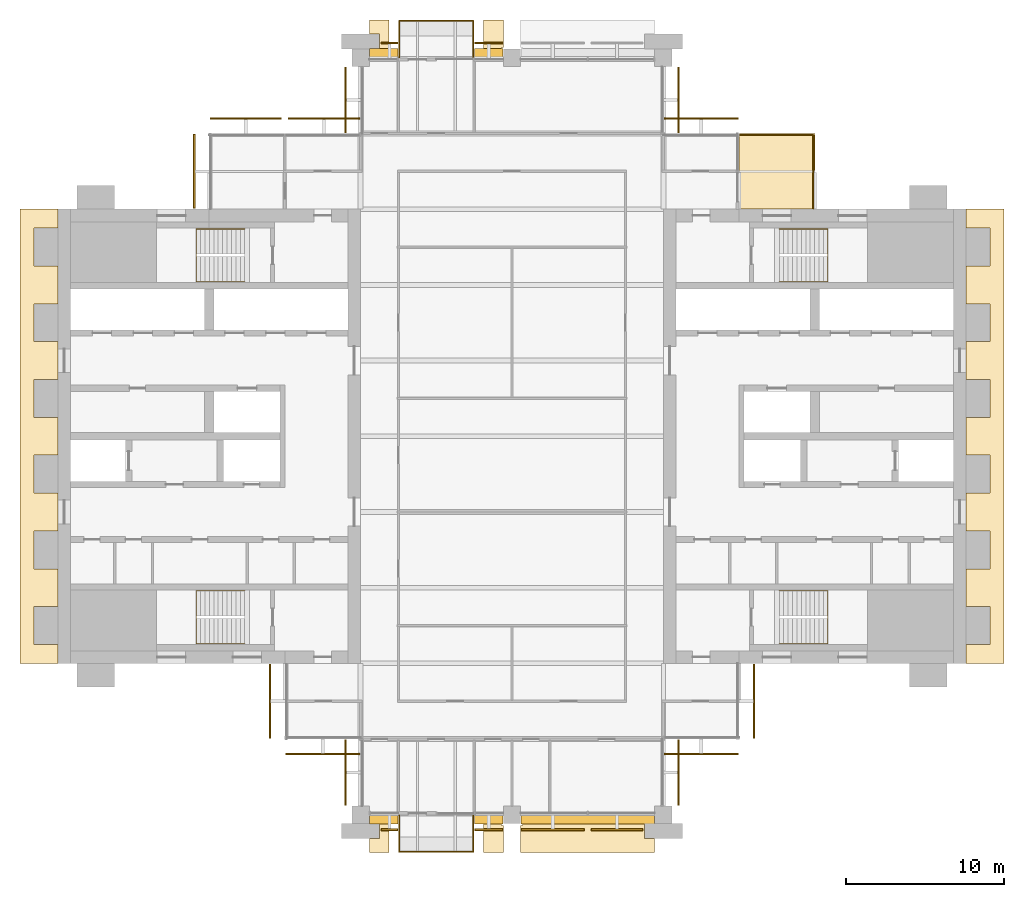
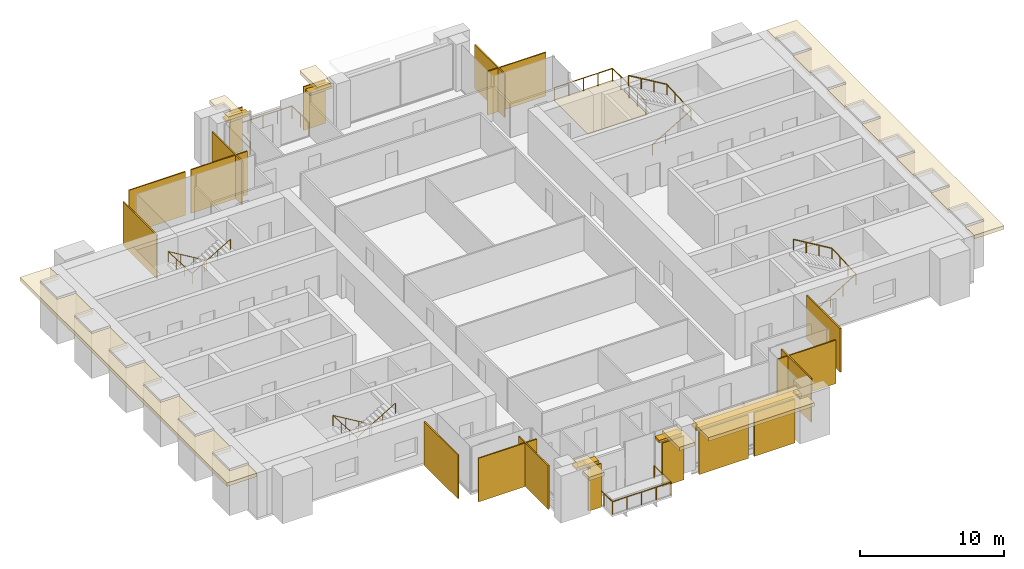
# One storey, part 13 of 14: 26 coverings, 7 railings, 5 shading devices.
"""IFC4 building model written with IfcOpenShell, lengths in metres."""

from ifc_helpers import new_model, si_unit, direction, frame, origin, origin_2d, place, context, subcontext, project, spatial, polyline, rectangle, circle, outline, extrude, material, layer, layer_set, type_object, element, save


model = new_model("IFC4")

# Units and contexts
model_context = context("Model", 3, precision=1e-05, world=origin(), true_north=direction((0.0, 1.0)))
body_context = subcontext(model_context, "Body", "Model", "MODEL_VIEW")
ifc_project = project(units=[si_unit("LENGTHUNIT", "METRE"), si_unit("AREAUNIT", "SQUARE_METRE"), si_unit("VOLUMEUNIT", "CUBIC_METRE"), si_unit("PLANEANGLEUNIT", "RADIAN"), si_unit("MASSUNIT", "GRAM", prefix="KILO")], contexts=[model_context])

# Site, building, storey
site_placement = place(None, origin())
site = spatial("IfcSite", under=ifc_project, at=site_placement, CompositionType="ELEMENT")
building_placement = place(site_placement, origin())
building = spatial("IfcBuilding", under=site, at=building_placement, Name="Baori Bourse Tower", CompositionType="ELEMENT")
storey_placement = place(building_placement, frame((0.0, 0.0, 257.199951171875)))
storey = spatial("IfcBuildingStorey", under=building, at=storey_placement, Name="L57", CompositionType="ELEMENT", Elevation=257.199951171875)

# Coverings
ifc_material_1 = material(Name="Pale anodised aluminium", Category="aluminium")
covering_type_1 = type_object("IfcCoveringType", Name="BD1 Pale metal band", PredefinedType="CLADDING", material=ifc_material_1)
covering_1_placement = place(storey_placement, frame((0.0, 0.0, 3.5400390625)))
element("IfcCovering", 1, at=covering_1_placement, inside=storey, type_object=covering_type_1, Name="Pale projecting band L57 1", PredefinedType="CLADDING", context=body_context, shape_type="SweptSolid", body=[
    extrude(outline(polyline([(57.60009765625, 10.800048828125), (57.60009765625, 9.60009765625), (60.0, 9.60009765625), (60.0, 38.39990234375), (57.60009765625, 38.39990234375), (57.60009765625, 37.199951171875), (59.10009765625, 37.199951171875), (59.10009765625, 34.800048828125), (57.60009765625, 34.800048828125), (57.60009765625, 32.39990234375), (59.10009765625, 32.39990234375), (59.10009765625, 30.0), (57.60009765625, 30.0), (57.60009765625, 27.60009765625), (59.10009765625, 27.60009765625), (59.10009765625, 25.199951171875), (57.60009765625, 25.199951171875), (57.60009765625, 22.800048828125), (59.10009765625, 22.800048828125), (59.10009765625, 20.39990234375), (57.60009765625, 20.39990234375), (57.60009765625, 18.0), (59.10009765625, 18.0), (59.10009765625, 15.60009765625), (57.60009765625, 15.60009765625), (57.60009765625, 13.199951171875), (59.10009765625, 13.199951171875), (59.10009765625, 10.800048828125), (57.60009765625, 10.800048828125)])), origin(), (0.0, 0.0, 1.0), 0.300048828125),
])
covering_2_placement = place(storey_placement, frame((0.0, 0.0, 3.5400390625)))
element("IfcCovering", 2, at=covering_2_placement, inside=storey, type_object=covering_type_1, Name="Pale projecting band L57 3", PredefinedType="CLADDING", context=body_context, shape_type="SweptSolid", body=[
    extrude(outline(polyline([(27.0, 48.0), (28.1298828125, 48.0), (28.1298828125, 48.669921875), (28.25, 48.669921875), (28.25, 50.39990234375), (27.0, 50.39990234375), (27.0, 48.0)])), origin(), (0.0, 0.0, 1.0), 0.300048828125),
])
covering_3_placement = place(storey_placement, frame((0.0, 0.0, 3.5400390625)))
element("IfcCovering", 3, at=covering_3_placement, inside=storey, type_object=covering_type_1, Name="Pale projecting band L57 4", PredefinedType="CLADDING", context=body_context, shape_type="SweptSolid", body=[
    extrude(outline(polyline([(19.8701171875, 48.0), (21.0, 48.0), (21.0, 50.39990234375), (19.75, 50.39990234375), (19.75, 49.5), (20.39990234375, 49.5), (20.39990234375, 48.550048828125), (19.8701171875, 48.550048828125), (19.8701171875, 48.0)])), origin(), (0.0, 0.0, 1.0), 0.300048828125),
])
covering_4_placement = place(storey_placement, frame((0.0, 0.0, 3.5400390625)))
element("IfcCovering", 4, at=covering_4_placement, inside=storey, type_object=covering_type_1, Name="Pale projecting band L57 5", PredefinedType="CLADDING", context=body_context, shape_type="SweptSolid", body=[
    extrude(outline(polyline([(0.0, 37.199951171875), (0.0, 38.39990234375), (-2.39990234375, 38.39990234375), (-2.39990234375, 9.60009765625), (0.0, 9.60009765625), (0.0, 10.800048828125), (-1.5, 10.800048828125), (-1.5, 13.199951171875), (0.0, 13.199951171875), (0.0, 15.60009765625), (-1.5, 15.60009765625), (-1.5, 18.0), (0.0, 18.0), (0.0, 20.39990234375), (-1.5, 20.39990234375), (-1.5, 22.800048828125), (0.0, 22.800048828125), (0.0, 25.199951171875), (-1.5, 25.199951171875), (-1.5, 27.60009765625), (0.0, 27.60009765625), (0.0, 30.0), (-1.5, 30.0), (-1.5, 32.39990234375), (0.0, 32.39990234375), (0.0, 34.800048828125), (-1.5, 34.800048828125), (-1.5, 37.199951171875), (0.0, 37.199951171875)])), origin(), (0.0, 0.0, 1.0), 0.300048828125),
])
covering_5_placement = place(storey_placement, frame((0.0, 0.0, 3.5400390625)))
element("IfcCovering", 5, at=covering_5_placement, inside=storey, type_object=covering_type_1, Name="Pale projecting band L57 6", PredefinedType="CLADDING", context=body_context, shape_type="SweptSolid", body=[
    extrude(outline(polyline([(21.0, 0.0), (19.8701171875, 0.0), (19.8701171875, -0.550048828125), (20.39990234375, -0.550048828125), (20.39990234375, -1.5), (19.75, -1.5), (19.75, -2.39990234375), (21.0, -2.39990234375), (21.0, 0.0)])), origin(), (0.0, 0.0, 1.0), 0.300048828125),
])
covering_6_placement = place(storey_placement, frame((0.0, 0.0, 3.5400390625)))
element("IfcCovering", 6, at=covering_6_placement, inside=storey, type_object=covering_type_1, Name="Pale projecting band L57 7", PredefinedType="CLADDING", context=body_context, shape_type="SweptSolid", body=[
    extrude(outline(polyline([(28.1298828125, 0.0), (27.0, 0.0), (27.0, -2.39990234375), (28.25, -2.39990234375), (28.25, -0.669921875), (28.1298828125, -0.669921875), (28.1298828125, 0.0)])), origin(), (0.0, 0.0, 1.0), 0.300048828125),
])
covering_7_placement = place(storey_placement, frame((0.0, 0.0, 3.5400390625)))
element("IfcCovering", 7, at=covering_7_placement, inside=storey, type_object=covering_type_1, Name="Pale projecting band L57 8", PredefinedType="CLADDING", context=body_context, shape_type="SweptSolid", body=[
    extrude(outline(polyline([(37.72998046875, 0.0), (29.469970703125, 0.0), (29.469970703125, -0.669921875), (29.35009765625, -0.669921875), (29.35009765625, -2.39990234375), (37.85009765625, -2.39990234375), (37.85009765625, -1.5), (37.199951171875, -1.5), (37.199951171875, -0.550048828125), (37.72998046875, -0.550048828125), (37.72998046875, 0.0)])), origin(), (0.0, 0.0, 1.0), 0.300048828125),
])

# Shading devices
ifc_material_2 = material(Name="Concrete f'c 40 MPa", Category="concrete")
ifc_layer_1 = layer(ifc_material_2, 0.199951171875)
ifc_layer_set_1 = layer_set([ifc_layer_1], Name="BS1 Brise-soleil ledge")
shading_device_type = type_object("IfcShadingDeviceType", Name="BS1 Brise-soleil ledge", PredefinedType="USERDEFINED", material=ifc_layer_set_1)
for number, where, z_axis, x_axis, name in (
    (8, (27.324951171875, 48.300048828125, 3.33984375), (0.0, 0.0, 1.0), (-1.0, 0.0, 0.0), "Brise-soleil ledge L57 2"),
    (9, (20.675048828125, 48.300048828125, 3.33984375), (0.0, 0.0, 1.0), (-1.0, 0.0, 0.0), "Brise-soleil ledge L57 3"),
    (10, (20.675048828125, -0.300048828125, 3.33984375), (0.0, 0.0, 1.0), (1.0, 0.0, 0.0), "Brise-soleil ledge L57 4"),
    (11, (27.324951171875, -0.300048828125, 3.33984375), (0.0, 0.0, 1.0), (1.0, 0.0, 0.0), "Brise-soleil ledge L57 5"),
):
    element("IfcShadingDevice", number, at=place(storey_placement, frame(where, z_axis=z_axis, x_axis=x_axis)), inside=storey, type_object=shading_device_type, Name=name, ObjectType="BRISE SOLEIL", PredefinedType="USERDEFINED", context=body_context, shape_type="SweptSolid", body=[
        extrude(rectangle(XDim=1.81005859375, YDim=0.60009765625, at=origin_2d()), origin(), (0.0, 0.0, 1.0), 0.199951171875),
    ])
shading_device_placement = place(storey_placement, frame((33.60009765625, -0.300048828125, 3.33984375), z_axis=(0.0, 0.0, 1.0), x_axis=(1.0, 0.0, 0.0)))
element("IfcShadingDevice", 12, at=shading_device_placement, inside=storey, type_object=shading_device_type, Name="Brise-soleil ledge L57 6", ObjectType="BRISE SOLEIL", PredefinedType="USERDEFINED", context=body_context, shape_type="SweptSolid", body=[
    extrude(rectangle(XDim=8.4599609375, YDim=0.60009765625, at=origin_2d()), origin(), (0.0, 0.0, 1.0), 0.199951171875),
])

# Railings
ifc_material_3 = material(Name="Powder-coated steel balustrade", Category="steel")
railing_type_1 = type_object("IfcRailingType", Name="Core stair handrail", PredefinedType="HANDRAIL", material=ifc_material_3)
railing_1_placement = place(storey_placement, frame((11.85009765625, 14.199951171875, 0.166748046875)))
element("IfcRailing", 13, at=railing_1_placement, inside=storey, type_object=railing_type_1, Name="L57 ST1 stair handrail 1", PredefinedType="HANDRAIL", context=body_context, shape_type="SweptSolid", body=[
    extrude(circle(Radius=0.02392578125, at=origin_2d()), frame((0.0, 0.0, 0.8759765625), z_axis=(-0.859308565015, 0.0, 0.511457515432), x_axis=(0.0, -1.0, 0.0)), (0.0, 0.0, 1.0), 3.58447265625),
    extrude(circle(Radius=0.02392578125, at=origin_2d()), frame((-3.080078125, 0.0, 2.708984375), z_axis=(0.0, -0.998763387249, 0.04971615724), x_axis=(1.0, 0.0, 0.0)), (0.0, 0.0, 1.0), 3.35400390625),
    extrude(circle(Radius=0.02392578125, at=origin_2d()), frame((-3.080078125, -3.349853515625, 2.8759765625), z_axis=(0.859308565015, 0.0, 0.511457515432), x_axis=(0.0, 1.0, 0.0)), (0.0, 0.0, 1.0), 3.58447265625),
    extrude(circle(Radius=0.02099609375, at=origin_2d()), origin(), (0.0, 0.0, 1.0), 0.851806640625),
    extrude(circle(Radius=0.02099609375, at=origin_2d()), frame((-1.026611328125, 0.0, 0.611083984375)), (0.0, 0.0, 1.0), 0.851806640625),
    extrude(circle(Radius=0.02099609375, at=origin_2d()), frame((-2.053466796875, 0.0, 1.22216796875)), (0.0, 0.0, 1.0), 0.851806640625),
    extrude(circle(Radius=0.02099609375, at=origin_2d()), frame((-3.080078125, 0.0, 1.833251953125)), (0.0, 0.0, 1.0), 0.851806640625),
    extrude(circle(Radius=0.02099609375, at=origin_2d()), frame((-3.080078125, -1.11669921875, 1.888916015625)), (0.0, 0.0, 1.0), 0.851806640625),
    extrude(circle(Radius=0.02099609375, at=origin_2d()), frame((-3.080078125, -2.233154296875, 1.9443359375)), (0.0, 0.0, 1.0), 0.851806640625),
    extrude(circle(Radius=0.02099609375, at=origin_2d()), frame((-3.080078125, -3.349853515625, 2.0)), (0.0, 0.0, 1.0), 0.851806640625),
    extrude(circle(Radius=0.02099609375, at=origin_2d()), frame((-2.053466796875, -3.349853515625, 2.611083984375)), (0.0, 0.0, 1.0), 0.851806640625),
    extrude(circle(Radius=0.02099609375, at=origin_2d()), frame((-1.026611328125, -3.349853515625, 3.22216796875)), (0.0, 0.0, 1.0), 0.851806640625),
    extrude(circle(Radius=0.02099609375, at=origin_2d()), frame((0.0, -3.349853515625, 3.833251953125)), (0.0, 0.0, 1.0), 0.851806640625),
])
railing_2_placement = place(storey_placement, frame((11.85009765625, 37.14990234375, 0.166748046875)))
element("IfcRailing", 14, at=railing_2_placement, inside=storey, type_object=railing_type_1, Name="L57 ST2 stair handrail 1", PredefinedType="HANDRAIL", context=body_context, shape_type="SweptSolid", body=[
    extrude(circle(Radius=0.02392578125, at=origin_2d()), frame((0.0, 0.0, 0.8759765625), z_axis=(-0.859308565015, 0.0, 0.511457515432), x_axis=(0.0, -1.0, 0.0)), (0.0, 0.0, 1.0), 3.58447265625),
    extrude(circle(Radius=0.02392578125, at=origin_2d()), frame((-3.080078125, 0.0, 2.708984375), z_axis=(0.0, -0.998763387249, 0.04971615724), x_axis=(1.0, 0.0, 0.0)), (0.0, 0.0, 1.0), 3.35400390625),
    extrude(circle(Radius=0.02392578125, at=origin_2d()), frame((-3.080078125, -3.349853515625, 2.8759765625), z_axis=(0.859308565015, 0.0, 0.511457515432), x_axis=(0.0, 1.0, 0.0)), (0.0, 0.0, 1.0), 3.58447265625),
    extrude(circle(Radius=0.02099609375, at=origin_2d()), origin(), (0.0, 0.0, 1.0), 0.851806640625),
    extrude(circle(Radius=0.02099609375, at=origin_2d()), frame((-1.026611328125, 0.0, 0.611083984375)), (0.0, 0.0, 1.0), 0.851806640625),
    extrude(circle(Radius=0.02099609375, at=origin_2d()), frame((-2.053466796875, 0.0, 1.22216796875)), (0.0, 0.0, 1.0), 0.851806640625),
    extrude(circle(Radius=0.02099609375, at=origin_2d()), frame((-3.080078125, 0.0, 1.833251953125)), (0.0, 0.0, 1.0), 0.851806640625),
    extrude(circle(Radius=0.02099609375, at=origin_2d()), frame((-3.080078125, -1.11669921875, 1.888916015625)), (0.0, 0.0, 1.0), 0.851806640625),
    extrude(circle(Radius=0.02099609375, at=origin_2d()), frame((-3.080078125, -2.233154296875, 1.9443359375)), (0.0, 0.0, 1.0), 0.851806640625),
    extrude(circle(Radius=0.02099609375, at=origin_2d()), frame((-3.080078125, -3.349853515625, 2.0)), (0.0, 0.0, 1.0), 0.851806640625),
    extrude(circle(Radius=0.02099609375, at=origin_2d()), frame((-2.053466796875, -3.349853515625, 2.611083984375)), (0.0, 0.0, 1.0), 0.851806640625),
    extrude(circle(Radius=0.02099609375, at=origin_2d()), frame((-1.026611328125, -3.349853515625, 3.22216796875)), (0.0, 0.0, 1.0), 0.851806640625),
    extrude(circle(Radius=0.02099609375, at=origin_2d()), frame((0.0, -3.349853515625, 3.833251953125)), (0.0, 0.0, 1.0), 0.851806640625),
])
railing_3_placement = place(storey_placement, frame((45.75, 10.85009765625, 0.166748046875)))
element("IfcRailing", 15, at=railing_3_placement, inside=storey, type_object=railing_type_1, Name="L57 ST3 stair handrail 1", PredefinedType="HANDRAIL", context=body_context, shape_type="SweptSolid", body=[
    extrude(circle(Radius=0.02392578125, at=origin_2d()), frame((0.0, 0.0, 0.8759765625), z_axis=(0.859308565015, 0.0, 0.511457515432), x_axis=(0.0, 1.0, 0.0)), (0.0, 0.0, 1.0), 3.58447265625),
    extrude(circle(Radius=0.02392578125, at=origin_2d()), frame((3.080078125, 0.0, 2.708984375), z_axis=(0.0, 0.998763387249, 0.04971615724), x_axis=(-1.0, 0.0, 0.0)), (0.0, 0.0, 1.0), 3.35400390625),
    extrude(circle(Radius=0.02392578125, at=origin_2d()), frame((3.080078125, 3.349853515625, 2.8759765625), z_axis=(-0.859308565015, 0.0, 0.511457515432), x_axis=(0.0, -1.0, 0.0)), (0.0, 0.0, 1.0), 3.58447265625),
    extrude(circle(Radius=0.02099609375, at=origin_2d()), origin(), (0.0, 0.0, 1.0), 0.851806640625),
    extrude(circle(Radius=0.02099609375, at=origin_2d()), frame((1.026611328125, 0.0, 0.611083984375)), (0.0, 0.0, 1.0), 0.851806640625),
    extrude(circle(Radius=0.02099609375, at=origin_2d()), frame((2.053466796875, 0.0, 1.22216796875)), (0.0, 0.0, 1.0), 0.851806640625),
    extrude(circle(Radius=0.02099609375, at=origin_2d()), frame((3.080078125, 0.0, 1.833251953125)), (0.0, 0.0, 1.0), 0.851806640625),
    extrude(circle(Radius=0.02099609375, at=origin_2d()), frame((3.080078125, 1.11669921875, 1.888916015625)), (0.0, 0.0, 1.0), 0.851806640625),
    extrude(circle(Radius=0.02099609375, at=origin_2d()), frame((3.080078125, 2.233154296875, 1.9443359375)), (0.0, 0.0, 1.0), 0.851806640625),
    extrude(circle(Radius=0.02099609375, at=origin_2d()), frame((3.080078125, 3.349853515625, 2.0)), (0.0, 0.0, 1.0), 0.851806640625),
    extrude(circle(Radius=0.02099609375, at=origin_2d()), frame((2.053466796875, 3.349853515625, 2.611083984375)), (0.0, 0.0, 1.0), 0.851806640625),
    extrude(circle(Radius=0.02099609375, at=origin_2d()), frame((1.026611328125, 3.349853515625, 3.22216796875)), (0.0, 0.0, 1.0), 0.851806640625),
    extrude(circle(Radius=0.02099609375, at=origin_2d()), frame((0.0, 3.349853515625, 3.833251953125)), (0.0, 0.0, 1.0), 0.851806640625),
])
railing_4_placement = place(storey_placement, frame((45.75, 33.800048828125, 0.166748046875)))
element("IfcRailing", 16, at=railing_4_placement, inside=storey, type_object=railing_type_1, Name="L57 ST4 stair handrail 1", PredefinedType="HANDRAIL", context=body_context, shape_type="SweptSolid", body=[
    extrude(circle(Radius=0.02392578125, at=origin_2d()), frame((0.0, 0.0, 0.8759765625), z_axis=(0.859308565015, 0.0, 0.511457515432), x_axis=(0.0, 1.0, 0.0)), (0.0, 0.0, 1.0), 3.58447265625),
    extrude(circle(Radius=0.02392578125, at=origin_2d()), frame((3.080078125, 0.0, 2.708984375), z_axis=(0.0, 0.998763387249, 0.04971615724), x_axis=(-1.0, 0.0, 0.0)), (0.0, 0.0, 1.0), 3.35400390625),
    extrude(circle(Radius=0.02392578125, at=origin_2d()), frame((3.080078125, 3.349853515625, 2.8759765625), z_axis=(-0.859308565015, 0.0, 0.511457515432), x_axis=(0.0, -1.0, 0.0)), (0.0, 0.0, 1.0), 3.58447265625),
    extrude(circle(Radius=0.02099609375, at=origin_2d()), origin(), (0.0, 0.0, 1.0), 0.851806640625),
    extrude(circle(Radius=0.02099609375, at=origin_2d()), frame((1.026611328125, 0.0, 0.611083984375)), (0.0, 0.0, 1.0), 0.851806640625),
    extrude(circle(Radius=0.02099609375, at=origin_2d()), frame((2.053466796875, 0.0, 1.22216796875)), (0.0, 0.0, 1.0), 0.851806640625),
    extrude(circle(Radius=0.02099609375, at=origin_2d()), frame((3.080078125, 0.0, 1.833251953125)), (0.0, 0.0, 1.0), 0.851806640625),
    extrude(circle(Radius=0.02099609375, at=origin_2d()), frame((3.080078125, 1.11669921875, 1.888916015625)), (0.0, 0.0, 1.0), 0.851806640625),
    extrude(circle(Radius=0.02099609375, at=origin_2d()), frame((3.080078125, 2.233154296875, 1.9443359375)), (0.0, 0.0, 1.0), 0.851806640625),
    extrude(circle(Radius=0.02099609375, at=origin_2d()), frame((3.080078125, 3.349853515625, 2.0)), (0.0, 0.0, 1.0), 0.851806640625),
    extrude(circle(Radius=0.02099609375, at=origin_2d()), frame((2.053466796875, 3.349853515625, 2.611083984375)), (0.0, 0.0, 1.0), 0.851806640625),
    extrude(circle(Radius=0.02099609375, at=origin_2d()), frame((1.026611328125, 3.349853515625, 3.22216796875)), (0.0, 0.0, 1.0), 0.851806640625),
    extrude(circle(Radius=0.02099609375, at=origin_2d()), frame((0.0, 3.349853515625, 3.833251953125)), (0.0, 0.0, 1.0), 0.851806640625),
])
ifc_material_4 = material(Name="Stainless steel", Category="steel")
railing_type_2 = type_object("IfcRailingType", Name="GD1 Guard", PredefinedType="GUARDRAIL", material=ifc_material_4)
railing_5_placement = place(storey_placement, frame((43.22998046875, 43.10009765625, 0.0400390625)))
element("IfcRailing", 17, at=railing_5_placement, inside=storey, type_object=railing_type_2, Name="Guard terrace NE L57 1", PredefinedType="GUARDRAIL", context=body_context, shape_type="SweptSolid", body=[
    extrude(circle(Radius=0.02392578125, at=origin_2d()), frame((0.0, 0.0, 1.076171875), z_axis=(1.0, 0.0, 0.0), x_axis=(0.0, 1.0, 0.0)), (0.0, 0.0, 1.0), 4.669921875),
    extrude(circle(Radius=0.02392578125, at=origin_2d()), frame((4.669921875, 0.0, 1.076171875), z_axis=(0.0, -1.0, 0.0), x_axis=(1.0, 0.0, 0.0)), (0.0, 0.0, 1.0), 4.670166015625),
    extrude(circle(Radius=0.02099609375, at=origin_2d()), origin(), (0.0, 0.0, 1.0), 1.052001953125),
    extrude(circle(Radius=0.02099609375, at=origin_2d()), frame((1.16748046875, 0.0, 0.0)), (0.0, 0.0, 1.0), 1.052001953125),
    extrude(circle(Radius=0.02099609375, at=origin_2d()), frame((2.3349609375, 0.0, 0.0)), (0.0, 0.0, 1.0), 1.052001953125),
    extrude(circle(Radius=0.02099609375, at=origin_2d()), frame((3.50244140625, 0.0, 0.0)), (0.0, 0.0, 1.0), 1.052001953125),
    extrude(circle(Radius=0.02099609375, at=origin_2d()), frame((4.669921875, 0.0, 0.0)), (0.0, 0.0, 1.0), 1.052001953125),
    extrude(circle(Radius=0.02099609375, at=origin_2d()), frame((4.669921875, -1.16748046875, 0.0)), (0.0, 0.0, 1.0), 1.052001953125),
    extrude(circle(Radius=0.02099609375, at=origin_2d()), frame((4.669921875, -2.3349609375, 0.0)), (0.0, 0.0, 1.0), 1.052001953125),
    extrude(circle(Radius=0.02099609375, at=origin_2d()), frame((4.669921875, -3.502685546875, 0.0)), (0.0, 0.0, 1.0), 1.052001953125),
    extrude(circle(Radius=0.02099609375, at=origin_2d()), frame((4.669921875, -4.670166015625, 0.0)), (0.0, 0.0, 1.0), 1.052001953125),
])
railing_6_placement = place(storey_placement, frame((21.64990234375, -0.030029296875, 0.0)))
element("IfcRailing", 18, at=railing_6_placement, inside=storey, type_object=railing_type_2, Name="Guard balcony S L57 2", PredefinedType="GUARDRAIL", context=body_context, shape_type="SweptSolid", body=[
    extrude(circle(Radius=0.02392578125, at=origin_2d()), frame((0.0, 0.0, 1.076171875), z_axis=(0.0, -1.0, 0.0), x_axis=(1.0, 0.0, 0.0)), (0.0, 0.0, 1.0), 2.320068359375),
    extrude(circle(Radius=0.02392578125, at=origin_2d()), frame((0.0, -2.320068359375, 1.076171875), z_axis=(1.0, 0.0, 0.0), x_axis=(0.0, 1.0, 0.0)), (0.0, 0.0, 1.0), 4.7001953125),
    extrude(circle(Radius=0.02392578125, at=origin_2d()), frame((4.7001953125, -2.320068359375, 1.076171875), z_axis=(0.0, 1.0, 0.0), x_axis=(-1.0, 0.0, 0.0)), (0.0, 0.0, 1.0), 2.320068359375),
    extrude(circle(Radius=0.02099609375, at=origin_2d()), origin(), (0.0, 0.0, 1.0), 1.052001953125),
    extrude(circle(Radius=0.02099609375, at=origin_2d()), frame((0.0, -1.16015625, 0.0)), (0.0, 0.0, 1.0), 1.052001953125),
    extrude(circle(Radius=0.02099609375, at=origin_2d()), frame((0.0, -2.320068359375, 0.0)), (0.0, 0.0, 1.0), 1.052001953125),
    extrude(circle(Radius=0.02099609375, at=origin_2d()), frame((1.175048828125, -2.320068359375, 0.0)), (0.0, 0.0, 1.0), 1.052001953125),
    extrude(circle(Radius=0.02099609375, at=origin_2d()), frame((2.35009765625, -2.320068359375, 0.0)), (0.0, 0.0, 1.0), 1.052001953125),
    extrude(circle(Radius=0.02099609375, at=origin_2d()), frame((3.525146484375, -2.320068359375, 0.0)), (0.0, 0.0, 1.0), 1.052001953125),
    extrude(circle(Radius=0.02099609375, at=origin_2d()), frame((4.7001953125, -2.320068359375, 0.0)), (0.0, 0.0, 1.0), 1.052001953125),
    extrude(circle(Radius=0.02099609375, at=origin_2d()), frame((4.7001953125, -1.16015625, 0.0)), (0.0, 0.0, 1.0), 1.052001953125),
    extrude(circle(Radius=0.02099609375, at=origin_2d()), frame((4.7001953125, 0.0, 0.0)), (0.0, 0.0, 1.0), 1.052001953125),
])
railing_7_placement = place(storey_placement, frame((21.64990234375, 48.030029296875, 0.0)))
element("IfcRailing", 19, at=railing_7_placement, inside=storey, type_object=railing_type_2, Name="Guard balcony N L57 3", PredefinedType="GUARDRAIL", context=body_context, shape_type="SweptSolid", body=[
    extrude(circle(Radius=0.02392578125, at=origin_2d()), frame((0.0, 0.0, 1.076171875), z_axis=(0.0, 1.0, 0.0), x_axis=(-1.0, 0.0, 0.0)), (0.0, 0.0, 1.0), 2.320068359375),
    extrude(circle(Radius=0.02392578125, at=origin_2d()), frame((0.0, 2.320068359375, 1.076171875), z_axis=(1.0, 0.0, 0.0), x_axis=(0.0, 1.0, 0.0)), (0.0, 0.0, 1.0), 4.7001953125),
    extrude(circle(Radius=0.02392578125, at=origin_2d()), frame((4.7001953125, 2.320068359375, 1.076171875), z_axis=(0.0, -1.0, 0.0), x_axis=(1.0, 0.0, 0.0)), (0.0, 0.0, 1.0), 2.320068359375),
    extrude(circle(Radius=0.02099609375, at=origin_2d()), origin(), (0.0, 0.0, 1.0), 1.052001953125),
    extrude(circle(Radius=0.02099609375, at=origin_2d()), frame((0.0, 1.16015625, 0.0)), (0.0, 0.0, 1.0), 1.052001953125),
    extrude(circle(Radius=0.02099609375, at=origin_2d()), frame((0.0, 2.320068359375, 0.0)), (0.0, 0.0, 1.0), 1.052001953125),
    extrude(circle(Radius=0.02099609375, at=origin_2d()), frame((1.175048828125, 2.320068359375, 0.0)), (0.0, 0.0, 1.0), 1.052001953125),
    extrude(circle(Radius=0.02099609375, at=origin_2d()), frame((2.35009765625, 2.320068359375, 0.0)), (0.0, 0.0, 1.0), 1.052001953125),
    extrude(circle(Radius=0.02099609375, at=origin_2d()), frame((3.525146484375, 2.320068359375, 0.0)), (0.0, 0.0, 1.0), 1.052001953125),
    extrude(circle(Radius=0.02099609375, at=origin_2d()), frame((4.7001953125, 2.320068359375, 0.0)), (0.0, 0.0, 1.0), 1.052001953125),
    extrude(circle(Radius=0.02099609375, at=origin_2d()), frame((4.7001953125, 1.16015625, 0.0)), (0.0, 0.0, 1.0), 1.052001953125),
    extrude(circle(Radius=0.02099609375, at=origin_2d()), frame((4.7001953125, 0.0, 0.0)), (0.0, 0.0, 1.0), 1.052001953125),
])

# Coverings
ifc_material_5 = material(Name="Pale anodised aluminium", Category="aluminium")
ifc_layer_2 = layer(ifc_material_5, 0.10009765625)
ifc_layer_set_2 = layer_set([ifc_layer_2], Name="OS3 Outer skin screen panel")
covering_type_2 = type_object("IfcCoveringType", Name="OS3 Outer skin screen panel", PredefinedType="CLADDING", material=ifc_layer_set_2)
covering_8_placement = place(storey_placement, frame((0.0, 0.0, -0.159912109375)))
element("IfcCovering", 20, at=covering_8_placement, inside=storey, type_object=covering_type_2, Name="Outer skin screen L57 1", PredefinedType="CLADDING", context=body_context, shape_type="SweptSolid", body=[
    extrude(outline(polyline([(38.449951171875, 44.10009765625), (43.14990234375, 44.10009765625), (43.14990234375, 44.199951171875), (38.449951171875, 44.199951171875), (38.449951171875, 44.10009765625)])), origin(), (0.0, 0.0, 1.0), 3.699951171875),
])
covering_9_placement = place(storey_placement, frame((0.0, 0.0, -0.159912109375)))
element("IfcCovering", 21, at=covering_9_placement, inside=storey, type_object=covering_type_2, Name="Outer skin screen L57 2", PredefinedType="CLADDING", context=body_context, shape_type="SweptSolid", body=[
    extrude(outline(polyline([(39.300048828125, 47.39990234375), (39.300048828125, 43.25), (39.39990234375, 43.25), (39.39990234375, 47.39990234375), (39.300048828125, 47.39990234375)])), origin(), (0.0, 0.0, 1.0), 3.699951171875),
])
covering_10_placement = place(storey_placement, frame((0.0, 0.0, -0.159912109375)))
element("IfcCovering", 22, at=covering_10_placement, inside=storey, type_object=covering_type_2, Name="Outer skin screen L57 5", PredefinedType="CLADDING", context=body_context, shape_type="SweptSolid", body=[
    extrude(outline(polyline([(26.449951171875, 48.89990234375), (28.199951171875, 48.89990234375), (28.199951171875, 49.0), (26.449951171875, 49.0), (26.449951171875, 48.89990234375)])), origin(), (0.0, 0.0, 1.0), 3.699951171875),
])
covering_11_placement = place(storey_placement, frame((0.0, 0.0, -0.159912109375)))
element("IfcCovering", 23, at=covering_11_placement, inside=storey, type_object=covering_type_2, Name="Outer skin screen L57 6", PredefinedType="CLADDING", context=body_context, shape_type="SweptSolid", body=[
    extrude(outline(polyline([(20.5, 48.89990234375), (21.550048828125, 48.89990234375), (21.550048828125, 49.0), (20.5, 49.0), (20.5, 48.89990234375)])), origin(), (0.0, 0.0, 1.0), 3.699951171875),
])
covering_12_placement = place(storey_placement, frame((0.0, 0.0, -0.159912109375)))
element("IfcCovering", 24, at=covering_12_placement, inside=storey, type_object=covering_type_2, Name="Outer skin screen L57 7", PredefinedType="CLADDING", context=body_context, shape_type="SweptSolid", body=[
    extrude(outline(polyline([(18.300048828125, 43.25), (18.300048828125, 47.39990234375), (18.199951171875, 47.39990234375), (18.199951171875, 43.25), (18.300048828125, 43.25)])), origin(), (0.0, 0.0, 1.0), 3.699951171875),
])
covering_13_placement = place(storey_placement, frame((0.0, 0.0, -0.159912109375)))
element("IfcCovering", 25, at=covering_13_placement, inside=storey, type_object=covering_type_2, Name="Outer skin screen L57 8", PredefinedType="CLADDING", context=body_context, shape_type="SweptSolid", body=[
    extrude(outline(polyline([(14.625, 44.10009765625), (19.14990234375, 44.10009765625), (19.14990234375, 44.199951171875), (14.625, 44.199951171875), (14.625, 44.10009765625)])), origin(), (0.0, 0.0, 1.0), 3.699951171875),
])
covering_14_placement = place(storey_placement, frame((0.0, 0.0, -0.159912109375)))
element("IfcCovering", 26, at=covering_14_placement, inside=storey, type_object=covering_type_2, Name="Outer skin screen L57 9", PredefinedType="CLADDING", context=body_context, shape_type="SweptSolid", body=[
    extrude(outline(polyline([(9.64990234375, 44.10009765625), (14.175048828125, 44.10009765625), (14.175048828125, 44.199951171875), (9.64990234375, 44.199951171875), (9.64990234375, 44.10009765625)])), origin(), (0.0, 0.0, 1.0), 3.699951171875),
])
covering_15_placement = place(storey_placement, frame((0.0, 0.0, -0.159912109375)))
element("IfcCovering", 27, at=covering_15_placement, inside=storey, type_object=covering_type_2, Name="Outer skin screen L57 10", PredefinedType="CLADDING", context=body_context, shape_type="SweptSolid", body=[
    extrude(outline(polyline([(8.699951171875, 38.449951171875), (8.699951171875, 43.14990234375), (8.60009765625, 43.14990234375), (8.60009765625, 38.449951171875), (8.699951171875, 38.449951171875)])), origin(), (0.0, 0.0, 1.0), 3.699951171875),
])
covering_16_placement = place(storey_placement, frame((0.0, 0.0, -0.159912109375)))
element("IfcCovering", 28, at=covering_16_placement, inside=storey, type_object=covering_type_2, Name="Outer skin screen L57 11", PredefinedType="CLADDING", context=body_context, shape_type="SweptSolid", body=[
    extrude(outline(polyline([(13.5, 4.85009765625), (13.5, 9.550048828125), (13.39990234375, 9.550048828125), (13.39990234375, 4.85009765625), (13.5, 4.85009765625)])), origin(), (0.0, 0.0, 1.0), 3.699951171875),
])
covering_17_placement = place(storey_placement, frame((0.0, 0.0, -0.159912109375)))
element("IfcCovering", 29, at=covering_17_placement, inside=storey, type_object=covering_type_2, Name="Outer skin screen L57 12", PredefinedType="CLADDING", context=body_context, shape_type="SweptSolid", body=[
    extrude(outline(polyline([(19.14990234375, 3.89990234375), (14.449951171875, 3.89990234375), (14.449951171875, 3.800048828125), (19.14990234375, 3.800048828125), (19.14990234375, 3.89990234375)])), origin(), (0.0, 0.0, 1.0), 3.699951171875),
])
covering_18_placement = place(storey_placement, frame((0.0, 0.0, -0.159912109375)))
element("IfcCovering", 30, at=covering_18_placement, inside=storey, type_object=covering_type_2, Name="Outer skin screen L57 13", PredefinedType="CLADDING", context=body_context, shape_type="SweptSolid", body=[
    extrude(outline(polyline([(18.300048828125, 0.60009765625), (18.300048828125, 4.75), (18.199951171875, 4.75), (18.199951171875, 0.60009765625), (18.300048828125, 0.60009765625)])), origin(), (0.0, 0.0, 1.0), 3.699951171875),
])
covering_19_placement = place(storey_placement, frame((0.0, 0.0, -0.159912109375)))
element("IfcCovering", 31, at=covering_19_placement, inside=storey, type_object=covering_type_2, Name="Outer skin screen L57 14", PredefinedType="CLADDING", context=body_context, shape_type="SweptSolid", body=[
    extrude(outline(polyline([(21.550048828125, -0.89990234375), (20.5, -0.89990234375), (20.5, -1.0), (21.550048828125, -1.0), (21.550048828125, -0.89990234375)])), origin(), (0.0, 0.0, 1.0), 3.699951171875),
])
covering_20_placement = place(storey_placement, frame((0.0, 0.0, -0.159912109375)))
element("IfcCovering", 32, at=covering_20_placement, inside=storey, type_object=covering_type_2, Name="Outer skin screen L57 15", PredefinedType="CLADDING", context=body_context, shape_type="SweptSolid", body=[
    extrude(outline(polyline([(28.199951171875, -0.89990234375), (26.449951171875, -0.89990234375), (26.449951171875, -1.0), (28.199951171875, -1.0), (28.199951171875, -0.89990234375)])), origin(), (0.0, 0.0, 1.0), 3.699951171875),
])
covering_21_placement = place(storey_placement, frame((0.0, 0.0, -0.159912109375)))
element("IfcCovering", 33, at=covering_21_placement, inside=storey, type_object=covering_type_2, Name="Outer skin screen L57 16", PredefinedType="CLADDING", context=body_context, shape_type="SweptSolid", body=[
    extrude(outline(polyline([(33.375, -0.89990234375), (29.39990234375, -0.89990234375), (29.39990234375, -1.0), (33.375, -1.0), (33.375, -0.89990234375)])), origin(), (0.0, 0.0, 1.0), 3.699951171875),
])
covering_22_placement = place(storey_placement, frame((0.0, 0.0, -0.159912109375)))
element("IfcCovering", 34, at=covering_22_placement, inside=storey, type_object=covering_type_2, Name="Outer skin screen L57 17", PredefinedType="CLADDING", context=body_context, shape_type="SweptSolid", body=[
    extrude(outline(polyline([(37.10009765625, -0.89990234375), (33.824951171875, -0.89990234375), (33.824951171875, -1.0), (37.10009765625, -1.0), (37.10009765625, -0.89990234375)])), origin(), (0.0, 0.0, 1.0), 3.699951171875),
])
covering_23_placement = place(storey_placement, frame((0.0, 0.0, -0.159912109375)))
element("IfcCovering", 35, at=covering_23_placement, inside=storey, type_object=covering_type_2, Name="Outer skin screen L57 18", PredefinedType="CLADDING", context=body_context, shape_type="SweptSolid", body=[
    extrude(outline(polyline([(39.300048828125, 4.75), (39.300048828125, 0.60009765625), (39.39990234375, 0.60009765625), (39.39990234375, 4.75), (39.300048828125, 4.75)])), origin(), (0.0, 0.0, 1.0), 3.699951171875),
])
covering_24_placement = place(storey_placement, frame((0.0, 0.0, -0.159912109375)))
element("IfcCovering", 36, at=covering_24_placement, inside=storey, type_object=covering_type_2, Name="Outer skin screen L57 19", PredefinedType="CLADDING", context=body_context, shape_type="SweptSolid", body=[
    extrude(outline(polyline([(43.14990234375, 3.89990234375), (38.449951171875, 3.89990234375), (38.449951171875, 3.800048828125), (43.14990234375, 3.800048828125), (43.14990234375, 3.89990234375)])), origin(), (0.0, 0.0, 1.0), 3.699951171875),
])
covering_25_placement = place(storey_placement, frame((0.0, 0.0, -0.159912109375)))
element("IfcCovering", 37, at=covering_25_placement, inside=storey, type_object=covering_type_2, Name="Outer skin screen L57 20", PredefinedType="CLADDING", context=body_context, shape_type="SweptSolid", body=[
    extrude(outline(polyline([(44.10009765625, 9.550048828125), (44.10009765625, 4.85009765625), (44.199951171875, 4.85009765625), (44.199951171875, 9.550048828125), (44.10009765625, 9.550048828125)])), origin(), (0.0, 0.0, 1.0), 3.699951171875),
])
ifc_material_6 = material(Name="Granite paving", Category="masonry")
ifc_layer_3 = layer(ifc_material_6, 0.0400390625)
ifc_layer_set_3 = layer_set([ifc_layer_3], Name="PV1 Deck paving")
covering_type_3 = type_object("IfcCoveringType", Name="PV1 Deck paving", PredefinedType="FLOORING", material=ifc_layer_set_3)
covering_26_placement = place(storey_placement, origin())
element("IfcCovering", 38, at=covering_26_placement, inside=storey, type_object=covering_type_3, Name="Terrace paving L57 1", PredefinedType="FLOORING", context=body_context, shape_type="SweptSolid", body=[
    extrude(outline(polyline([(43.199951171875, 38.39990234375), (48.0, 38.39990234375), (48.0, 43.199951171875), (43.199951171875, 43.199951171875), (43.199951171875, 38.39990234375)])), origin(), (0.0, 0.0, 1.0), 0.0400390625),
])

save(model, "model.ifc")
